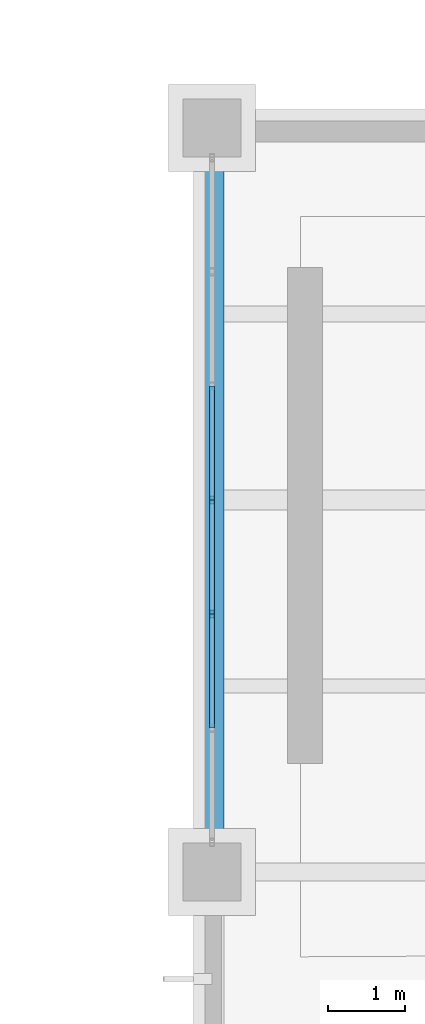
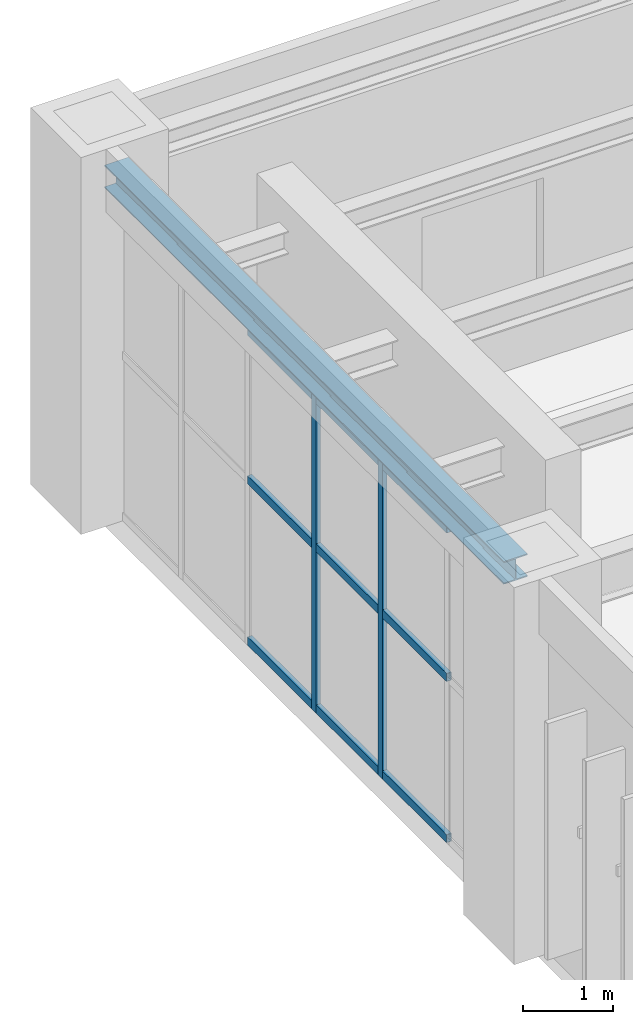
# One storey, part 44 of 174: 11 members, 1 beam, 1 element without a shape of its own.
"""IFC4 building model written with IfcOpenShell, lengths in metres."""

import ifcopenshell
import ifcopenshell.guid

model = None  # the IFC model being written
_history = None  # IfcOwnerHistory: only IFC2X3 demands one
_inside = {}  # id of a spatial element -> (the spatial element, [elements in it])
_under = {}  # id of a project, library or spatial element -> (it, [spatial elements below it])
_declared = {}  # id of a project -> (the project, [libraries it declares])
_typed = {}  # id of a type object -> (the type object, [elements of that type])
_made_of = {}  # id of a material, layer set ... -> (it, [elements and type objects made of it])


def new_model(schema):
    """Start an empty IFC model of exactly this schema.

    Asked for "IFC4X3", IfcOpenShell would pick the latest addendum, in which some entities
    have other attributes; the version numbers below select the first issue.
    IFC2X3 requires an IfcOwnerHistory on every rooted entity: one is made here for all.
    """
    global model, _history
    if schema == "IFC4X3":
        model = ifcopenshell.file(schema_version=(4, 3, 0, 0))
    else:
        model = ifcopenshell.file(schema=schema)
    _inside.clear()
    _under.clear()
    _declared.clear()
    _typed.clear()
    _made_of.clear()
    _history = None
    if model.schema == "IFC2X3":
        org = make("IfcOrganization", Name="unknown")
        user = make(
            "IfcPersonAndOrganization",
            ThePerson=make("IfcPerson", FamilyName="unknown"),
            TheOrganization=org,
        )
        app = make(
            "IfcApplication",
            ApplicationDeveloper=org,
            Version="unknown",
            ApplicationFullName="unknown",
            ApplicationIdentifier="unknown",
        )
        _history = make(
            "IfcOwnerHistory",
            OwningUser=user,
            OwningApplication=app,
            ChangeAction="ADDED",
            CreationDate=0,
        )
    return model


def make(cls, **values):
    """One entity of the class cls with the attributes given. An attribute that is None is left unset."""
    return model.create_entity(
        cls, **{name: value for name, value in values.items() if value is not None}
    )


def rooted(cls, **values):
    """An entity with a GlobalId (a new one), such as an element, a storey or a relation."""
    return make(cls, GlobalId=ifcopenshell.guid.new(), OwnerHistory=_history, **values)


def si_unit(unit_type, name, prefix=None):
    """IfcSIUnit, for example si_unit("LENGTHUNIT", "METRE", prefix="MILLI")."""
    return make("IfcSIUnit", UnitType=unit_type, Prefix=prefix, Name=name)


def assignment(units):
    """IfcUnitAssignment: the units of a project."""
    return None if units is None else make("IfcUnitAssignment", Units=units)


def point(xyz):
    """IfcCartesianPoint."""
    return None if xyz is None else make("IfcCartesianPoint", Coordinates=xyz)


def direction(xyz):
    """IfcDirection."""
    return None if xyz is None else make("IfcDirection", DirectionRatios=xyz)


def frame(location, z_axis=None, x_axis=None):
    """IfcAxis2Placement3D, a coordinate frame: its origin and axes. An axis left out is left unset."""
    return make(
        "IfcAxis2Placement3D",
        Location=point(location),
        Axis=direction(z_axis),
        RefDirection=direction(x_axis),
    )


def frame_2d(location, x_axis=None):
    """IfcAxis2Placement2D, a coordinate frame in the plane: its origin and x axis."""
    return make(
        "IfcAxis2Placement2D", Location=point(location), RefDirection=direction(x_axis)
    )


def origin():
    """The frame at (0, 0, 0) with its axes left unset."""
    return frame((0.0, 0.0, 0.0))


def origin_2d():
    """The frame at (0, 0) in the plane with its x axis left unset."""
    return frame_2d((0.0, 0.0))


def place(relative_to, where):
    """IfcLocalPlacement: puts the frame where relative to a parent placement (None: the world)."""
    return make(
        "IfcLocalPlacement", PlacementRelTo=relative_to, RelativePlacement=where
    )


def context(
    kind, dimensions, precision=None, world=None, true_north=None, identifier=None
):
    """IfcGeometricRepresentationContext, for example the 3D "Model" context."""
    return make(
        "IfcGeometricRepresentationContext",
        ContextIdentifier=identifier,
        ContextType=kind,
        CoordinateSpaceDimension=dimensions,
        Precision=precision,
        WorldCoordinateSystem=world,
        TrueNorth=true_north,
    )


def subcontext(parent, identifier, kind, view, scale=None):
    """IfcGeometricRepresentationSubContext, for example "Body" below "Model"."""
    return make(
        "IfcGeometricRepresentationSubContext",
        ContextIdentifier=identifier,
        ContextType=kind,
        ParentContext=parent,
        TargetScale=scale,
        TargetView=view,
    )


def project(units=None, contexts=None):
    """IfcProject with its units and contexts."""
    return rooted(
        "IfcProject",
        Name="project",
        RepresentationContexts=contexts,
        UnitsInContext=assignment(units),
    )


def spatial(cls, under=None, at=None, **own):
    """A site, building, storey or space (cls), placed at a placement, below another one or the project."""
    s = rooted(cls, ObjectPlacement=at, **own)
    if under is not None:
        _under.setdefault(under.id(), (under, []))[1].append(s)
    return s


def profile(cls, at=None, kind="AREA", **sizes):
    """A parametric profile (cls). Its sizes go by their IFC names, for example OverallWidth=200.0."""
    return make(cls, ProfileType=kind, Position=at, **sizes)


def hollow_rectangle(**sizes):
    """IfcRectangleHollowProfileDef."""
    return profile("IfcRectangleHollowProfileDef", **sizes)


def i_section(**sizes):
    """IfcIShapeProfileDef."""
    return profile("IfcIShapeProfileDef", **sizes)


def extrude(swept, where, along, depth):
    """IfcExtrudedAreaSolid: the profile swept, set in the frame where, extruded along a direction by depth."""
    return make(
        "IfcExtrudedAreaSolid",
        SweptArea=swept,
        Position=where,
        ExtrudedDirection=direction(along),
        Depth=depth,
    )


def shape(context_of_items, identifier, shape_type, items):
    """IfcShapeRepresentation: the items that make up one representation, for example the "Body"."""
    return make(
        "IfcShapeRepresentation",
        ContextOfItems=context_of_items,
        RepresentationIdentifier=identifier,
        RepresentationType=shape_type,
        Items=items,
    )


def material(Name=None, Category=None):
    """IfcMaterial."""
    return make("IfcMaterial", Name=Name, Category=Category)


def material_profile(
    of_material, cross_section, Name=None, Category=None, Priority=None
):
    """IfcMaterialProfile: a cross section and its material."""
    return make(
        "IfcMaterialProfile",
        Name=Name,
        Material=of_material,
        Profile=cross_section,
        Priority=Priority,
        Category=Category,
    )


def profile_set(profiles, Name=None, composite=None):
    """IfcMaterialProfileSet."""
    return make(
        "IfcMaterialProfileSet",
        Name=Name,
        MaterialProfiles=profiles,
        CompositeProfile=composite,
    )


def made_of(thing, what):
    """Note that an element or type object is made of a material, layer set ...; save() writes the relation."""
    if what is not None:
        _made_of.setdefault(what.id(), (what, []))[1].append(thing)
    return thing


def type_object(cls, material=None, **own):
    """A type object (cls), such as IfcWallType, which elements share."""
    return made_of(rooted(cls, **own), material)


def element(
    cls,
    number,
    at=None,
    inside=None,
    cuts=None,
    type_object=None,
    material=None,
    context=None,
    identifier="Body",
    shape_type=None,
    held_by="IfcProductDefinitionShape",
    body=None,
    shapes=None,
    **own,
):
    """One element of the class cls, such as IfcWall. Its Tag is "e" and its number.

    at: its placement. inside: the storey or other place that contains it. cuts: it is an
    opening in that element (IfcRelVoidsElement). A single representation is given by context,
    identifier, shape_type and body (its items); several are given by shapes. held_by: the class
    of the entity that holds the representations. save() writes the other relations.
    """
    e = rooted(cls, Tag="e%d" % number, ObjectPlacement=at, **own)
    if body is not None:
        shapes = [shape(context, identifier, shape_type, body)]
    if shapes is not None:
        e.Representation = make(held_by, Representations=shapes)
    if inside is not None:
        _inside.setdefault(inside.id(), (inside, []))[1].append(e)
    if cuts is not None:
        rooted(
            "IfcRelVoidsElement", RelatingBuildingElement=cuts, RelatedOpeningElement=e
        )
    if type_object is not None:
        _typed.setdefault(type_object.id(), (type_object, []))[1].append(e)
    return made_of(e, material)


def aggregate(whole, parts):
    """IfcRelAggregates: a whole, such as a stair, and the parts it consists of."""
    return rooted("IfcRelAggregates", RelatingObject=whole, RelatedObjects=parts)


def save(model, path):
    """Write the relations noted so far, then the file.

    IfcRelAggregates (storeys below a building ...), IfcRelContainedInSpatialStructure (elements
    in a storey), IfcRelDefinesByType, IfcRelAssociatesMaterial and IfcRelDeclares: one each for
    every whole, place, type object, material and project.
    """
    for whole, parts in _under.values():
        aggregate(whole, parts)
    for where, things in _inside.values():
        rooted(
            "IfcRelContainedInSpatialStructure",
            RelatedElements=things,
            RelatingStructure=where,
        )
    for kind, things in _typed.values():
        rooted("IfcRelDefinesByType", RelatedObjects=things, RelatingType=kind)
    for what, things in _made_of.values():
        rooted("IfcRelAssociatesMaterial", RelatedObjects=things, RelatingMaterial=what)
    for by, libraries in _declared.values():
        rooted("IfcRelDeclares", RelatingContext=by, RelatedDefinitions=libraries)
    model.write(path)


model = new_model("IFC4")

# Units and contexts
model_context = context("Model", 3, precision=1e-05, world=origin(), true_north=direction((0.0, 1.0)))
body_context = subcontext(model_context, "Body", "Model", "MODEL_VIEW")
ifc_project = project(units=[si_unit("LENGTHUNIT", "METRE"), si_unit("AREAUNIT", "SQUARE_METRE"), si_unit("VOLUMEUNIT", "CUBIC_METRE"), si_unit("PLANEANGLEUNIT", "RADIAN"), si_unit("MASSUNIT", "GRAM", prefix="KILO")], contexts=[model_context])

# Site, building, storey
site_placement = place(None, origin())
site = spatial("IfcSite", under=ifc_project, at=site_placement, CompositionType="ELEMENT")
building_placement = place(site_placement, origin())
building = spatial("IfcBuilding", under=site, at=building_placement, Name="Mavantir Sound Aquarium", CompositionType="ELEMENT")
storey_placement = place(building_placement, frame((0.0, 0.0, 5.39990234375)))
storey = spatial("IfcBuildingStorey", under=building, at=storey_placement, Name="L01", CompositionType="ELEMENT", Elevation=5.39990234375)

# Beam
ifc_material_1 = material(Name="Structural Steel ASTM A992 Gr50", Category="steel")
ifc_material_profile_1 = material_profile(ifc_material_1, i_section(OverallWidth=0.304931640625, OverallDepth=0.30810546875, WebThickness=0.010009765625, FlangeThickness=0.015380859375, FilletRadius=0.014892578125, at=origin_2d()), Name="W310X97")
ifc_profile_set_1 = profile_set([ifc_material_profile_1], Name="Structural Steel ASTM A992 Gr50")
beam_type = type_object("IfcBeamType", Name="BM-W310X97-E", PredefinedType="SPANDREL", material=ifc_profile_set_1)
beam_placement = place(storey_placement, frame((108.0, 9.97509765625, 4.592041015625), z_axis=(0.0, 1.0, 0.0), x_axis=(-1.0, 0.0, 0.0)))
element("IfcBeam", 1, at=beam_placement, inside=storey, type_object=beam_type, Name="L01 primary girder SS-31A 1410", PredefinedType="SPANDREL", context=body_context, shape_type="SweptSolid", body=[
    extrude(i_section(OverallWidth=0.304931640625, OverallDepth=0.30810546875, WebThickness=0.010009765625, FlangeThickness=0.015380859375, FilletRadius=0.014892578125, at=origin_2d()), origin(), (0.0, 0.0, 1.0), 8.849853515625),
])

# Curtain wall, members
ifc_material_2 = material(Name="Anodised Marine Aluminium and Low-E Glass", Category="aluminium")
curtain_wall_type = type_object("IfcCurtainWallType", Name="CW-T01", PredefinedType="USERDEFINED", material=ifc_material_2)
curtain_wall_placement = place(storey_placement, origin())
curtain_wall = element("IfcCurtainWall", 2, at=curtain_wall_placement, inside=storey, type_object=curtain_wall_type, Name="L01 unitised curtain wall CW-01 121", ObjectType="UNITISED GLAZING", PredefinedType="USERDEFINED")
ifc_material_3 = material(Name="Anodised Marine Aluminium 6063-T6", Category="aluminium")
ifc_material_profile_2 = material_profile(ifc_material_3, hollow_rectangle(XDim=0.06005859375, YDim=0.10009765625, WallThickness=0.00390625, at=origin_2d()), Name="ALU-MULLION-100X60")
ifc_profile_set_2 = profile_set([ifc_material_profile_2], Name="Anodised Marine Aluminium 6063-T6")
member_type_1 = type_object("IfcMemberType", Name="CW-MUL-100", PredefinedType="MULLION", material=ifc_profile_set_2)
member_1_placement = place(storey_placement, frame((108.0, 14.39990234375, 0.0), z_axis=(0.0, 0.0, 1.0), x_axis=(1.0, 0.0, 0.0)))
member_1 = element("IfcMember", 3, at=member_1_placement, type_object=member_type_1, Name="CW-L01-121 vertical mullion 4", PredefinedType="MULLION", context=body_context, shape_type="SweptSolid", body=[
    extrude(hollow_rectangle(XDim=0.06005859375, YDim=0.10009765625, WallThickness=0.00390625, at=origin_2d()), origin(), (0.0, 0.0, 1.0), 4.299072265625),
])
member_2_placement = place(storey_placement, frame((108.0, 12.927734375, 0.0), z_axis=(0.0, 0.0, 1.0), x_axis=(1.0, 0.0, 0.0)))
member_2 = element("IfcMember", 4, at=member_2_placement, type_object=member_type_1, Name="CW-L01-121 vertical mullion 5", PredefinedType="MULLION", context=body_context, shape_type="SweptSolid", body=[
    extrude(hollow_rectangle(XDim=0.06005859375, YDim=0.10009765625, WallThickness=0.00390625, at=origin_2d()), origin(), (0.0, 0.0, 1.0), 4.299072265625),
])
ifc_material_profile_3 = material_profile(ifc_material_3, hollow_rectangle(XDim=0.06005859375, YDim=0.110107421875, WallThickness=0.00390625, at=origin_2d()), Name="ALU-TRANSOM-110X60")
ifc_profile_set_3 = profile_set([ifc_material_profile_3], Name="Anodised Marine Aluminium 6063-T6")
member_type_2 = type_object("IfcMemberType", Name="CW-TRN-110", PredefinedType="USERDEFINED", material=ifc_profile_set_3)
member_3_placement = place(storey_placement, frame((108.0, 15.872314453125, 0.05517578125), z_axis=(0.0, -1.0, 0.0), x_axis=(1.0, 0.0, 0.0)))
member_3 = element("IfcMember", 5, at=member_3_placement, type_object=member_type_2, Name="CW-L01-121 transom 3.1", ObjectType="TRANSOM", PredefinedType="USERDEFINED", context=body_context, shape_type="SweptSolid", body=[
    extrude(hollow_rectangle(XDim=0.06005859375, YDim=0.110107421875, WallThickness=0.00390625, at=origin_2d()), origin(), (0.0, 0.0, 1.0), 1.472412109375),
])
member_4_placement = place(storey_placement, frame((108.0, 15.872314453125, 2.235595703125), z_axis=(0.0, -1.0, 0.0), x_axis=(1.0, 0.0, 0.0)))
member_4 = element("IfcMember", 6, at=member_4_placement, type_object=member_type_2, Name="CW-L01-121 transom 3.2", ObjectType="TRANSOM", PredefinedType="USERDEFINED", context=body_context, shape_type="SweptSolid", body=[
    extrude(hollow_rectangle(XDim=0.06005859375, YDim=0.110107421875, WallThickness=0.00390625, at=origin_2d()), origin(), (0.0, 0.0, 1.0), 1.472412109375),
])
member_5_placement = place(storey_placement, frame((108.0, 15.872314453125, 4.244140625), z_axis=(0.0, -1.0, 0.0), x_axis=(1.0, 0.0, 0.0)))
member_5 = element("IfcMember", 7, at=member_5_placement, type_object=member_type_2, Name="CW-L01-121 transom 3.3", ObjectType="TRANSOM", PredefinedType="USERDEFINED", context=body_context, shape_type="SweptSolid", body=[
    extrude(hollow_rectangle(XDim=0.06005859375, YDim=0.110107421875, WallThickness=0.00390625, at=origin_2d()), origin(), (0.0, 0.0, 1.0), 1.472412109375),
])
member_6_placement = place(storey_placement, frame((108.0, 14.39990234375, 0.05517578125), z_axis=(0.0, -1.0, 0.0), x_axis=(1.0, 0.0, 0.0)))
member_6 = element("IfcMember", 8, at=member_6_placement, type_object=member_type_2, Name="CW-L01-121 transom 4.1", ObjectType="TRANSOM", PredefinedType="USERDEFINED", context=body_context, shape_type="SweptSolid", body=[
    extrude(hollow_rectangle(XDim=0.06005859375, YDim=0.110107421875, WallThickness=0.00390625, at=origin_2d()), origin(), (0.0, 0.0, 1.0), 1.47216796875),
])
member_7_placement = place(storey_placement, frame((108.0, 14.39990234375, 2.235595703125), z_axis=(0.0, -1.0, 0.0), x_axis=(1.0, 0.0, 0.0)))
member_7 = element("IfcMember", 9, at=member_7_placement, type_object=member_type_2, Name="CW-L01-121 transom 4.2", ObjectType="TRANSOM", PredefinedType="USERDEFINED", context=body_context, shape_type="SweptSolid", body=[
    extrude(hollow_rectangle(XDim=0.06005859375, YDim=0.110107421875, WallThickness=0.00390625, at=origin_2d()), origin(), (0.0, 0.0, 1.0), 1.47216796875),
])
member_8_placement = place(storey_placement, frame((108.0, 14.39990234375, 4.244140625), z_axis=(0.0, -1.0, 0.0), x_axis=(1.0, 0.0, 0.0)))
member_8 = element("IfcMember", 10, at=member_8_placement, type_object=member_type_2, Name="CW-L01-121 transom 4.3", ObjectType="TRANSOM", PredefinedType="USERDEFINED", context=body_context, shape_type="SweptSolid", body=[
    extrude(hollow_rectangle(XDim=0.06005859375, YDim=0.110107421875, WallThickness=0.00390625, at=origin_2d()), origin(), (0.0, 0.0, 1.0), 1.47216796875),
])
member_9_placement = place(storey_placement, frame((108.0, 12.927734375, 0.05517578125), z_axis=(0.0, -1.0, 0.0), x_axis=(1.0, 0.0, 0.0)))
member_9 = element("IfcMember", 11, at=member_9_placement, type_object=member_type_2, Name="CW-L01-121 transom 5.1", ObjectType="TRANSOM", PredefinedType="USERDEFINED", context=body_context, shape_type="SweptSolid", body=[
    extrude(hollow_rectangle(XDim=0.06005859375, YDim=0.110107421875, WallThickness=0.00390625, at=origin_2d()), origin(), (0.0, 0.0, 1.0), 1.472412109375),
])
member_10_placement = place(storey_placement, frame((108.0, 12.927734375, 2.235595703125), z_axis=(0.0, -1.0, 0.0), x_axis=(1.0, 0.0, 0.0)))
member_10 = element("IfcMember", 12, at=member_10_placement, type_object=member_type_2, Name="CW-L01-121 transom 5.2", ObjectType="TRANSOM", PredefinedType="USERDEFINED", context=body_context, shape_type="SweptSolid", body=[
    extrude(hollow_rectangle(XDim=0.06005859375, YDim=0.110107421875, WallThickness=0.00390625, at=origin_2d()), origin(), (0.0, 0.0, 1.0), 1.472412109375),
])
member_11_placement = place(storey_placement, frame((108.0, 12.927734375, 4.244140625), z_axis=(0.0, -1.0, 0.0), x_axis=(1.0, 0.0, 0.0)))
member_11 = element("IfcMember", 13, at=member_11_placement, type_object=member_type_2, Name="CW-L01-121 transom 5.3", ObjectType="TRANSOM", PredefinedType="USERDEFINED", context=body_context, shape_type="SweptSolid", body=[
    extrude(hollow_rectangle(XDim=0.06005859375, YDim=0.110107421875, WallThickness=0.00390625, at=origin_2d()), origin(), (0.0, 0.0, 1.0), 1.472412109375),
])
aggregate(curtain_wall, [member_1, member_2, member_3, member_4, member_5, member_6, member_7, member_8, member_9, member_10, member_11])

save(model, "model.ifc")
